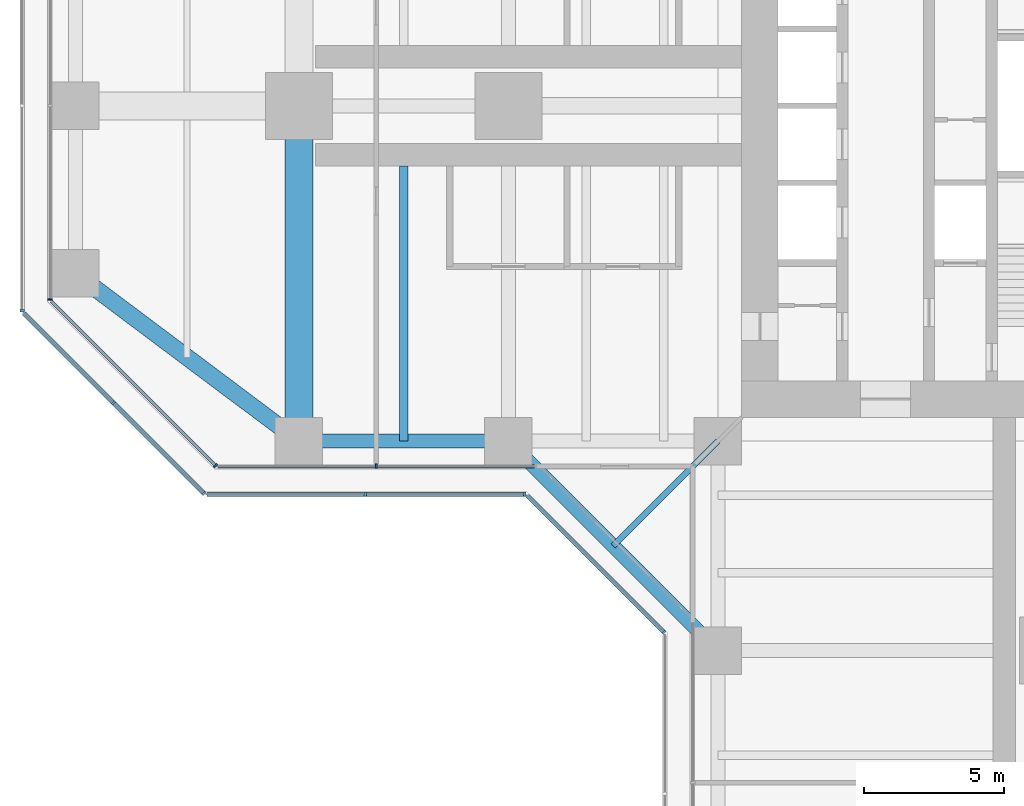
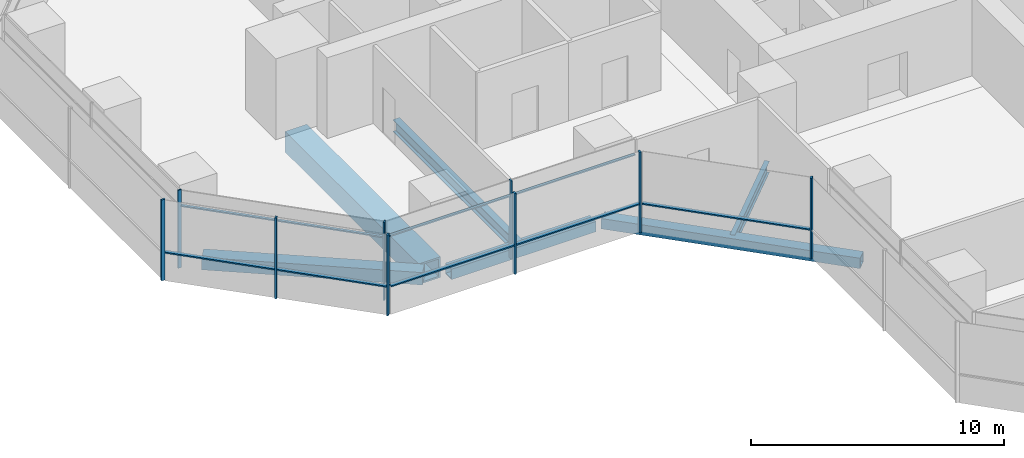
# One storey, part 3 of 22: 17 members, 6 beams, 7 elements without a shape of their own.
"""IFC4 building model written with IfcOpenShell, lengths in metres."""

from ifc_helpers import new_model, si_unit, direction, frame, origin, origin_2d, place, context, subcontext, project, spatial, rectangle, hollow_rectangle, i_section, extrude, material, material_profile, profile_set, type_object, element, aggregate, save


model = new_model("IFC4")

# Units and contexts
model_context = context("Model", 3, precision=1e-05, world=origin(), true_north=direction((0.0, 1.0)))
body_context = subcontext(model_context, "Body", "Model", "MODEL_VIEW")
ifc_project = project(units=[si_unit("LENGTHUNIT", "METRE"), si_unit("AREAUNIT", "SQUARE_METRE"), si_unit("VOLUMEUNIT", "CUBIC_METRE"), si_unit("PLANEANGLEUNIT", "RADIAN"), si_unit("MASSUNIT", "GRAM", prefix="KILO")], contexts=[model_context])

# Site, building, storey
site_placement = place(None, origin())
site = spatial("IfcSite", under=ifc_project, at=site_placement, CompositionType="ELEMENT")
building_placement = place(site_placement, origin())
building = spatial("IfcBuilding", under=site, at=building_placement, Name="Mizan Broadcast Tower", CompositionType="ELEMENT")
storey_placement = place(building_placement, frame((0.0, 0.0, 59.10009765625)))
storey = spatial("IfcBuildingStorey", under=building, at=storey_placement, Name="L11", CompositionType="ELEMENT", Elevation=59.10009765625)

# Beams
ifc_material_1 = material(Name="Steel S355", Category="steel")
ifc_material_profile_1 = material_profile(ifc_material_1, hollow_rectangle(XDim=0.5, YDim=0.5, WallThickness=0.030029296875, at=origin_2d()), Name="BOX 500x500x30")
ifc_profile_set_1 = profile_set([ifc_material_profile_1], Name="Steel S355")
beam_type_1 = type_object("IfcBeamType", Name="EDGE BEAM BOX 500x500x30", PredefinedType="SPANDREL", material=ifc_profile_set_1)
beam_1_placement = place(storey_placement, frame((-19.949951171875, -12.0, -0.380126953125), z_axis=(-1.0, 0.0, 0.0), x_axis=(0.0, -1.0, 0.0)))
element("IfcBeam", 1, at=beam_1_placement, inside=storey, type_object=beam_type_1, Name="Edge beam BOX 500x500x30 L11 west arm", PredefinedType="SPANDREL", context=body_context, shape_type="SweptSolid", body=[
    extrude(hollow_rectangle(XDim=0.5, YDim=0.5, WallThickness=0.030029296875, at=origin_2d()), origin(), (0.0, 0.0, 1.0), 6.60009765625),
])
beam_2_placement = place(storey_placement, frame((-19.5, -12.0, -0.380126953125), z_axis=(0.707106781187, -0.707106781187, 0.0), x_axis=(0.707106781187, 0.707106781187, 0.0)))
element("IfcBeam", 2, at=beam_2_placement, inside=storey, type_object=beam_type_1, Name="Winter garden edge beam L11 W", PredefinedType="SPANDREL", context=body_context, shape_type="SweptSolid", body=[
    extrude(hollow_rectangle(XDim=0.5, YDim=0.5, WallThickness=0.030029296875, at=origin_2d()), origin(), (0.0, 0.0, 1.0), 10.606689453125),
])
ifc_material_2 = material(Name="Steel S355", Category="steel")
ifc_material_profile_2 = material_profile(ifc_material_2, hollow_rectangle(XDim=0.60009765625, YDim=0.60009765625, WallThickness=0.030029296875, at=origin_2d()), Name="BOX 600x600x30")
ifc_profile_set_2 = profile_set([ifc_material_profile_2], Name="Steel S355")
beam_type_2 = type_object("IfcBeamType", Name="EDGE BEAM BOX 600x600x30", PredefinedType="SPANDREL", material=ifc_profile_set_2)
beam_3_placement = place(storey_placement, frame((-27.47998046875, -11.639892578125, -0.43017578125), z_axis=(-0.800013316712, 0.599982243973, 0.0), x_axis=(-0.599982243973, -0.800013316712, 0.0)))
element("IfcBeam", 3, at=beam_3_placement, inside=storey, type_object=beam_type_2, Name="Edge beam BOX 600x600x30 L11 west arm", PredefinedType="SPANDREL", context=body_context, shape_type="SweptSolid", body=[
    extrude(hollow_rectangle(XDim=0.60009765625, YDim=0.60009765625, WallThickness=0.030029296875, at=origin_2d()), origin(), (0.0, 0.0, 1.0), 8.7998046875),
])
ifc_material_3 = material(Name="Steel S460", Category="steel")
ifc_material_profile_3 = material_profile(ifc_material_3, hollow_rectangle(XDim=1.0, YDim=1.0, WallThickness=0.080078125, at=origin_2d()), Name="BOX 1000x1000x80")
ifc_profile_set_3 = profile_set([ifc_material_profile_3], Name="Steel S460")
beam_type_3 = type_object("IfcBeamType", Name="GIRDER BOX 1000x1000x80", PredefinedType="BEAM", material=ifc_profile_set_3)
beam_4_placement = place(storey_placement, frame((-27.0, -11.280029296875, -0.630126953125), z_axis=(0.0, 1.0, 0.0), x_axis=(-1.0, 0.0, 0.0)))
element("IfcBeam", 4, at=beam_4_placement, inside=storey, type_object=beam_type_3, Name="Girder BOX 1000x1000x80 L11 west arm", PredefinedType="BEAM", context=body_context, shape_type="SweptSolid", body=[
    extrude(hollow_rectangle(XDim=1.0, YDim=1.0, WallThickness=0.080078125, at=origin_2d()), origin(), (0.0, 0.0, 1.0), 10.56005859375),
])

# Curtain wall, member
ifc_material_4 = material(Name="Aluminium framed glazing", Category="aluminium")
curtain_wall_type_1 = type_object("IfcCurtainWallType", Name="INNER SKIN LOW ZONE", PredefinedType="USERDEFINED", material=ifc_material_4)
curtain_wall_1_placement = place(storey_placement, origin())
curtain_wall_1 = element("IfcCurtainWall", 5, at=curtain_wall_1_placement, inside=storey, type_object=curtain_wall_type_1, Name="Inner skin low zone L11 W end", ObjectType="INNER SKIN LOW ZONE", PredefinedType="USERDEFINED")
ifc_material_5 = material(Name="Aluminium, pale anodised", Category="aluminium")
ifc_material_profile_4 = material_profile(ifc_material_5, rectangle(XDim=0.159912109375, YDim=0.06005859375, at=origin_2d()), Name="MULLION 160x60")
ifc_profile_set_4 = profile_set([ifc_material_profile_4], Name="Aluminium, pale anodised")
member_type_1 = type_object("IfcMemberType", Name="INNER SKIN MULLION 60x160", PredefinedType="MULLION", material=ifc_profile_set_4)
member_1_placement = place(storey_placement, frame((-35.89990234375, -6.928466796875, 0.0), z_axis=(0.0, 0.0, 1.0), x_axis=(1.0, 0.0, 0.0)))
member_1 = element("IfcMember", 6, at=member_1_placement, type_object=member_type_1, Name="Inner skin low zone L11 W end mullion 3", PredefinedType="MULLION", context=body_context, shape_type="SweptSolid", body=[
    extrude(rectangle(XDim=0.159912109375, YDim=0.06005859375, at=origin_2d()), origin(), (0.0, 0.0, 1.0), 3.77001953125),
])
aggregate(curtain_wall_1, [member_1])

curtain_wall_2_placement = place(storey_placement, origin())
curtain_wall_2 = element("IfcCurtainWall", 7, at=curtain_wall_2_placement, inside=storey, type_object=curtain_wall_type_1, Name="Inner skin low zone L11 W chamfer", ObjectType="INNER SKIN LOW ZONE", PredefinedType="USERDEFINED")
member_2_placement = place(storey_placement, frame((-29.979736328125, -12.87890625, 0.0), z_axis=(0.0, 0.0, 1.0), x_axis=(0.707106781187, 0.707106781187, 0.0)))
member_2 = element("IfcMember", 8, at=member_2_placement, type_object=member_type_1, Name="Inner skin low zone L11 W chamfer mullion 2", PredefinedType="MULLION", context=body_context, shape_type="SweptSolid", body=[
    extrude(rectangle(XDim=0.159912109375, YDim=0.06005859375, at=origin_2d()), origin(), (0.0, 0.0, 1.0), 3.77001953125),
])

curtain_wall_3_placement = place(storey_placement, origin())
curtain_wall_3 = element("IfcCurtainWall", 9, at=curtain_wall_3_placement, inside=storey, type_object=curtain_wall_type_1, Name="Inner skin low zone L11 W side", ObjectType="INNER SKIN LOW ZONE", PredefinedType="USERDEFINED")
member_3_placement = place(storey_placement, frame((-24.229248046875, -12.89990234375, 0.0), z_axis=(0.0, 0.0, 1.0), x_axis=(0.0, 1.0, 0.0)))
member_3 = element("IfcMember", 10, at=member_3_placement, type_object=member_type_1, Name="Inner skin low zone L11 W side mullion 2", PredefinedType="MULLION", context=body_context, shape_type="SweptSolid", body=[
    extrude(rectangle(XDim=0.159912109375, YDim=0.06005859375, at=origin_2d()), origin(), (0.0, 0.0, 1.0), 3.77001953125),
])

# Member
ifc_material_6 = material(Name="Aluminium, pale anodised", Category="aluminium")
ifc_material_profile_5 = material_profile(ifc_material_6, rectangle(XDim=0.1201171875, YDim=0.06005859375, at=origin_2d()), Name="TRANSOM 120x60")
ifc_profile_set_5 = profile_set([ifc_material_profile_5], Name="Aluminium, pale anodised")
member_type_2 = type_object("IfcMemberType", Name="INNER SKIN TRANSOM 60x120", PredefinedType="USERDEFINED", material=ifc_profile_set_5)
member_4_placement = place(storey_placement, frame((-35.857666015625, -7.0009765625, 3.02978515625), z_axis=(0.707106781187, -0.707106781187, 0.0), x_axis=(0.707106781187, 0.707106781187, 0.0)))
member_4 = element("IfcMember", 11, at=member_4_placement, type_object=member_type_2, Name="Inner skin low zone L11 W chamfer transom 1.1", ObjectType="TRANSOM", PredefinedType="USERDEFINED", context=body_context, shape_type="SweptSolid", body=[
    extrude(rectangle(XDim=0.1201171875, YDim=0.06005859375, at=origin_2d()), origin(), (0.0, 0.0, 1.0), 8.28271484375),
])

aggregate(curtain_wall_2, [member_2, member_4])

member_5_placement = place(storey_placement, frame((-29.898681640625, -12.89990234375, 3.02978515625), z_axis=(1.0, 0.0, 0.0), x_axis=(0.0, 1.0, 0.0)))
member_5 = element("IfcMember", 12, at=member_5_placement, type_object=member_type_2, Name="Inner skin low zone L11 W side transom 1.1", ObjectType="TRANSOM", PredefinedType="USERDEFINED", context=body_context, shape_type="SweptSolid", body=[
    extrude(rectangle(XDim=0.1201171875, YDim=0.06005859375, at=origin_2d()), origin(), (0.0, 0.0, 1.0), 5.639404296875),
])

member_6_placement = place(storey_placement, frame((-24.19921875, -12.89990234375, 3.02978515625), z_axis=(1.0, 0.0, 0.0), x_axis=(0.0, 1.0, 0.0)))
member_6 = element("IfcMember", 13, at=member_6_placement, type_object=member_type_2, Name="Inner skin low zone L11 W side transom 2.1", ObjectType="TRANSOM", PredefinedType="USERDEFINED", context=body_context, shape_type="SweptSolid", body=[
    extrude(rectangle(XDim=0.1201171875, YDim=0.06005859375, at=origin_2d()), origin(), (0.0, 0.0, 1.0), 5.63916015625),
])

aggregate(curtain_wall_3, [member_3, member_5, member_6])

# Curtain wall, member
ifc_material_7 = material(Name="Aluminium framed glazing", Category="aluminium")
curtain_wall_type_2 = type_object("IfcCurtainWallType", Name="OUTER SKIN", PredefinedType="USERDEFINED", material=ifc_material_7)
curtain_wall_4_placement = place(storey_placement, origin())
curtain_wall_4 = element("IfcCurtainWall", 14, at=curtain_wall_4_placement, inside=storey, type_object=curtain_wall_type_2, Name="Outer skin L11 W end", ObjectType="OUTER SKIN", PredefinedType="USERDEFINED")
ifc_material_8 = material(Name="Aluminium, pale anodised", Category="aluminium")
ifc_material_profile_6 = material_profile(ifc_material_8, rectangle(XDim=0.159912109375, YDim=0.080078125, at=origin_2d()), Name="MULLION 160x80")
ifc_profile_set_6 = profile_set([ifc_material_profile_6], Name="Aluminium, pale anodised")
member_type_3 = type_object("IfcMemberType", Name="OUTER SKIN MULLION 80x160", PredefinedType="MULLION", material=ifc_profile_set_6)
member_7_placement = place(storey_placement, frame((-36.89990234375, -7.332763671875, 0.0), z_axis=(0.0, 0.0, 1.0), x_axis=(1.0, 0.0, 0.0)))
member_7 = element("IfcMember", 15, at=member_7_placement, type_object=member_type_3, Name="Outer skin L11 W end mullion 3", PredefinedType="MULLION", context=body_context, shape_type="SweptSolid", body=[
    extrude(rectangle(XDim=0.159912109375, YDim=0.080078125, at=origin_2d()), origin(), (0.0, 0.0, 1.0), 3.89990234375),
])
aggregate(curtain_wall_4, [member_7])

# Curtain wall, members
curtain_wall_5_placement = place(storey_placement, origin())
curtain_wall_5 = element("IfcCurtainWall", 16, at=curtain_wall_5_placement, inside=storey, type_object=curtain_wall_type_2, Name="Outer skin L11 W chamfer", ObjectType="OUTER SKIN", PredefinedType="USERDEFINED")
member_8_placement = place(storey_placement, frame((-33.636474609375, -10.636474609375, 0.0), z_axis=(0.0, 0.0, 1.0), x_axis=(0.707106781187, 0.707106781187, 0.0)))
member_8 = element("IfcMember", 17, at=member_8_placement, type_object=member_type_3, Name="Outer skin L11 W chamfer mullion 2", PredefinedType="MULLION", context=body_context, shape_type="SweptSolid", body=[
    extrude(rectangle(XDim=0.159912109375, YDim=0.080078125, at=origin_2d()), origin(), (0.0, 0.0, 1.0), 3.89990234375),
])
member_9_placement = place(storey_placement, frame((-30.401123046875, -13.871826171875, 0.0), z_axis=(0.0, 0.0, 1.0), x_axis=(0.707106781187, 0.707106781187, 0.0)))
member_9 = element("IfcMember", 18, at=member_9_placement, type_object=member_type_3, Name="Outer skin L11 W chamfer mullion 3", PredefinedType="MULLION", context=body_context, shape_type="SweptSolid", body=[
    extrude(rectangle(XDim=0.159912109375, YDim=0.080078125, at=origin_2d()), origin(), (0.0, 0.0, 1.0), 3.89990234375),
])

curtain_wall_6_placement = place(storey_placement, origin())
curtain_wall_6 = element("IfcCurtainWall", 19, at=curtain_wall_6_placement, inside=storey, type_object=curtain_wall_type_2, Name="Outer skin L11 W side", ObjectType="OUTER SKIN", PredefinedType="USERDEFINED")
member_10_placement = place(storey_placement, frame((-24.622802734375, -13.89990234375, 0.0), z_axis=(0.0, 0.0, 1.0), x_axis=(0.0, 1.0, 0.0)))
member_10 = element("IfcMember", 20, at=member_10_placement, type_object=member_type_3, Name="Outer skin L11 W side mullion 2", PredefinedType="MULLION", context=body_context, shape_type="SweptSolid", body=[
    extrude(rectangle(XDim=0.159912109375, YDim=0.080078125, at=origin_2d()), origin(), (0.0, 0.0, 1.0), 3.89990234375),
])
member_11_placement = place(storey_placement, frame((-18.912841796875, -13.89990234375, 0.0), z_axis=(0.0, 0.0, 1.0), x_axis=(0.0, 1.0, 0.0)))
member_11 = element("IfcMember", 21, at=member_11_placement, type_object=member_type_3, Name="Outer skin L11 W side mullion 3", PredefinedType="MULLION", context=body_context, shape_type="SweptSolid", body=[
    extrude(rectangle(XDim=0.159912109375, YDim=0.080078125, at=origin_2d()), origin(), (0.0, 0.0, 1.0), 3.89990234375),
])

# Curtain wall, member
curtain_wall_7_placement = place(storey_placement, origin())
curtain_wall_7 = element("IfcCurtainWall", 22, at=curtain_wall_7_placement, inside=storey, type_object=curtain_wall_type_2, Name="Outer skin L11 W chamfer", ObjectType="OUTER SKIN", PredefinedType="USERDEFINED")
member_12_placement = place(storey_placement, frame((-13.92822265625, -18.844482421875, 0.0), z_axis=(0.0, 0.0, 1.0), x_axis=(0.707106781187, 0.707106781187, 0.0)))
member_12 = element("IfcMember", 23, at=member_12_placement, type_object=member_type_3, Name="Outer skin L11 W chamfer mullion 2", PredefinedType="MULLION", context=body_context, shape_type="SweptSolid", body=[
    extrude(rectangle(XDim=0.159912109375, YDim=0.080078125, at=origin_2d()), origin(), (0.0, 0.0, 1.0), 3.89990234375),
])

# Member
ifc_material_9 = material(Name="Aluminium, pale anodised", Category="aluminium")
ifc_material_profile_7 = material_profile(ifc_material_9, rectangle(XDim=0.159912109375, YDim=0.06005859375, at=origin_2d()), Name="TRANSOM 160x60")
ifc_profile_set_7 = profile_set([ifc_material_profile_7], Name="Aluminium, pale anodised")
member_type_4 = type_object("IfcMemberType", Name="OUTER SKIN TRANSOM 60x160", PredefinedType="USERDEFINED", material=ifc_profile_set_7)
member_13_placement = place(storey_placement, frame((-36.843505859375, -7.429443359375, 1.39990234375), z_axis=(0.707106781187, -0.707106781187, 0.0), x_axis=(0.707106781187, 0.707106781187, 0.0)))
member_13 = element("IfcMember", 24, at=member_13_placement, type_object=member_type_4, Name="Outer skin L11 W chamfer transom 1.1", ObjectType="TRANSOM", PredefinedType="USERDEFINED", context=body_context, shape_type="SweptSolid", body=[
    extrude(rectangle(XDim=0.159912109375, YDim=0.06005859375, at=origin_2d()), origin(), (0.0, 0.0, 1.0), 4.495361328125),
])

member_14_placement = place(storey_placement, frame((-33.608154296875, -10.664794921875, 1.39990234375), z_axis=(0.707106781187, -0.707106781187, 0.0), x_axis=(0.707106781187, 0.707106781187, 0.0)))
member_14 = element("IfcMember", 25, at=member_14_placement, type_object=member_type_4, Name="Outer skin L11 W chamfer transom 2.1", ObjectType="TRANSOM", PredefinedType="USERDEFINED", context=body_context, shape_type="SweptSolid", body=[
    extrude(rectangle(XDim=0.159912109375, YDim=0.06005859375, at=origin_2d()), origin(), (0.0, 0.0, 1.0), 4.495361328125),
])

aggregate(curtain_wall_5, [member_8, member_9, member_13, member_14])

member_15_placement = place(storey_placement, frame((-30.292724609375, -13.89990234375, 1.39990234375), z_axis=(1.0, 0.0, 0.0), x_axis=(0.0, 1.0, 0.0)))
member_15 = element("IfcMember", 26, at=member_15_placement, type_object=member_type_4, Name="Outer skin L11 W side transom 1.1", ObjectType="TRANSOM", PredefinedType="USERDEFINED", context=body_context, shape_type="SweptSolid", body=[
    extrude(rectangle(XDim=0.159912109375, YDim=0.06005859375, at=origin_2d()), origin(), (0.0, 0.0, 1.0), 5.6298828125),
])

member_16_placement = place(storey_placement, frame((-24.582763671875, -13.89990234375, 1.39990234375), z_axis=(1.0, 0.0, 0.0), x_axis=(0.0, 1.0, 0.0)))
member_16 = element("IfcMember", 27, at=member_16_placement, type_object=member_type_4, Name="Outer skin L11 W side transom 2.1", ObjectType="TRANSOM", PredefinedType="USERDEFINED", context=body_context, shape_type="SweptSolid", body=[
    extrude(rectangle(XDim=0.159912109375, YDim=0.06005859375, at=origin_2d()), origin(), (0.0, 0.0, 1.0), 5.6298828125),
])

aggregate(curtain_wall_6, [member_10, member_11, member_15, member_16])

member_17_placement = place(storey_placement, frame((-18.816162109375, -13.95654296875, 1.39990234375), z_axis=(0.707106781187, -0.707106781187, 0.0), x_axis=(0.707106781187, 0.707106781187, 0.0)))
member_17 = element("IfcMember", 28, at=member_17_placement, type_object=member_type_4, Name="Outer skin L11 W chamfer transom 1.1", ObjectType="TRANSOM", PredefinedType="USERDEFINED", context=body_context, shape_type="SweptSolid", body=[
    extrude(rectangle(XDim=0.159912109375, YDim=0.06005859375, at=origin_2d()), origin(), (0.0, 0.0, 1.0), 6.87255859375),
])

aggregate(curtain_wall_7, [member_12, member_17])

# Beams
ifc_material_10 = material(Name="Steel S355", Category="steel")
ifc_material_profile_8 = material_profile(ifc_material_10, i_section(OverallWidth=0.300048828125, OverallDepth=0.590087890625, WebThickness=0.012939453125, FlangeThickness=0.02490234375, FilletRadius=0.027099609375, at=origin_2d()), Name="HEA 600")
ifc_profile_set_8 = profile_set([ifc_material_profile_8], Name="Steel S355")
beam_type_4 = type_object("IfcBeamType", Name="SECONDARY BEAM HEA 600", PredefinedType="JOIST", material=ifc_profile_set_8)
beam_5_placement = place(storey_placement, frame((-23.25, -12.0, -0.425048828125), z_axis=(0.0, 1.0, 0.0), x_axis=(-1.0, 0.0, 0.0)))
element("IfcBeam", 29, at=beam_5_placement, inside=storey, type_object=beam_type_4, Name="Secondary beam HEA 600 L11 west arm", PredefinedType="JOIST", context=body_context, shape_type="SweptSolid", body=[
    extrude(i_section(OverallWidth=0.300048828125, OverallDepth=0.590087890625, WebThickness=0.012939453125, FlangeThickness=0.02490234375, FilletRadius=0.027099609375, at=origin_2d()), origin(), (0.0, 0.0, 1.0), 9.85009765625),
])
ifc_material_11 = material(Name="Steel S355", Category="steel")
ifc_material_profile_9 = material_profile(ifc_material_11, i_section(OverallWidth=0.2099609375, OverallDepth=0.550048828125, WebThickness=0.010986328125, FlangeThickness=0.01708984375, FilletRadius=0.02392578125, at=origin_2d()), Name="IPE 550")
ifc_profile_set_9 = profile_set([ifc_material_profile_9], Name="Steel S355")
beam_type_5 = type_object("IfcBeamType", Name="SECONDARY BEAM IPE 550", PredefinedType="JOIST", material=ifc_profile_set_9)
beam_6_placement = place(storey_placement, frame((-12.0, -12.0, -0.405029296875), z_axis=(-0.707106781187, -0.707106781187, 0.0), x_axis=(0.707106781187, -0.707106781187, 0.0)))
element("IfcBeam", 30, at=beam_6_placement, inside=storey, type_object=beam_type_5, Name="Winter garden beam L11 W", PredefinedType="JOIST", context=body_context, shape_type="SweptSolid", body=[
    extrude(i_section(OverallWidth=0.2099609375, OverallDepth=0.550048828125, WebThickness=0.010986328125, FlangeThickness=0.01708984375, FilletRadius=0.02392578125, at=origin_2d()), origin(), (0.0, 0.0, 1.0), 5.30322265625),
])

save(model, "model.ifc")
